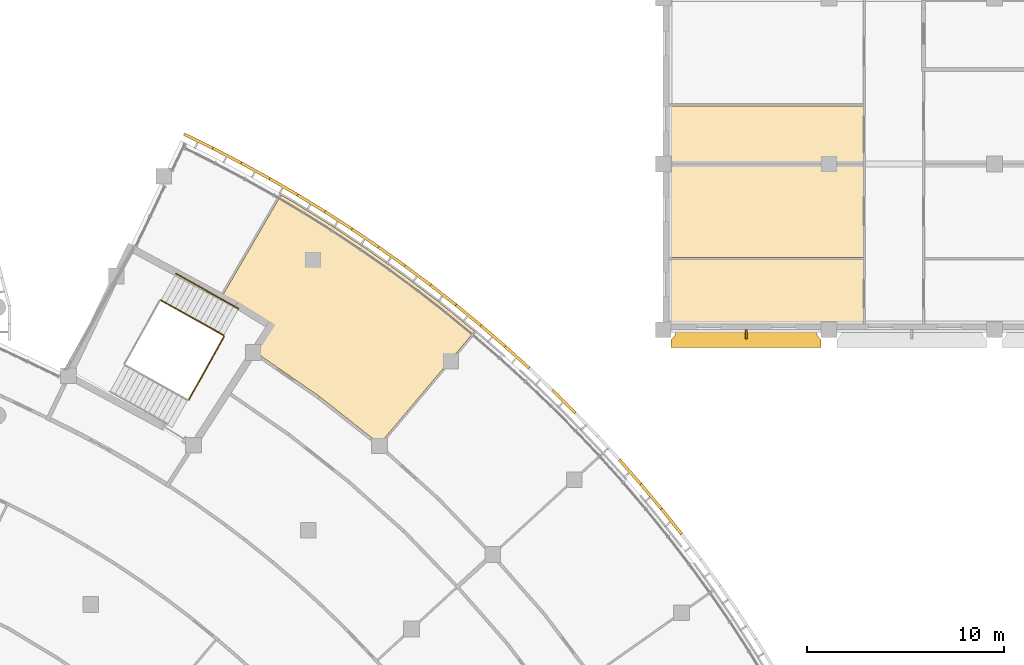
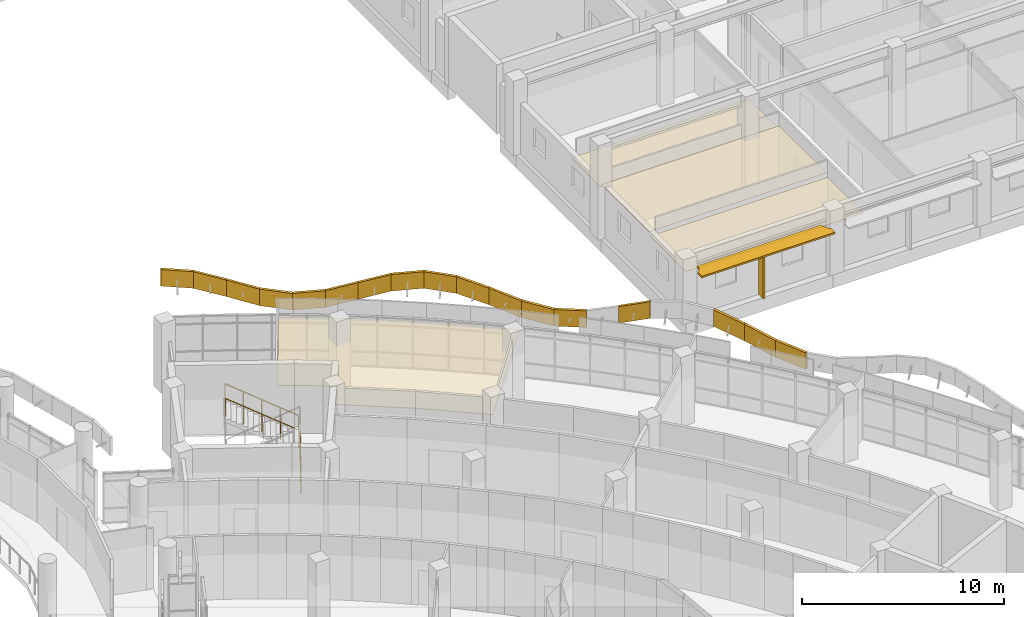
# One storey, part 97 of 109: 21 coverings, 3 railings, 2 shading devices.
"""IFC4 building model written with IfcOpenShell, lengths in metres."""

from ifc_helpers import new_model, si_unit, direction, frame, origin, origin_2d, place, context, subcontext, project, spatial, polyline, rectangle, circle, outline, extrude, material, layer, layer_set, material_profile, profile_set, type_object, element, save


model = new_model("IFC4")

# Units and contexts
model_context = context("Model", 3, precision=1e-05, world=origin(), true_north=direction((0.0, 1.0)))
body_context = subcontext(model_context, "Body", "Model", "MODEL_VIEW")
ifc_project = project(units=[si_unit("LENGTHUNIT", "METRE"), si_unit("AREAUNIT", "SQUARE_METRE"), si_unit("VOLUMEUNIT", "CUBIC_METRE"), si_unit("PLANEANGLEUNIT", "RADIAN"), si_unit("MASSUNIT", "GRAM", prefix="KILO")], contexts=[model_context])

# Site, building, storey
site_placement = place(None, origin())
site = spatial("IfcSite", under=ifc_project, at=site_placement, CompositionType="ELEMENT")
building_placement = place(site_placement, origin())
building = spatial("IfcBuilding", under=site, at=building_placement, Name="Bougainvillea Quay General Hospital", CompositionType="ELEMENT")
storey_placement = place(building_placement, frame((0.0, 0.0, 12.60009765625)))
storey = spatial("IfcBuildingStorey", under=building, at=storey_placement, Name="L02", CompositionType="ELEMENT", Elevation=12.60009765625)

# Coverings
ifc_material_1 = material(Name="Powder-coated aluminium fascia, blue", Category="aluminium")
ifc_layer_1 = layer(ifc_material_1, 0.14990234375)
ifc_layer_set_1 = layer_set([ifc_layer_1], Name="Powder-coated aluminium fascia, blue")
covering_type_1 = type_object("IfcCoveringType", Name="Aluminium wave fascia ribbon blue 150x1000", PredefinedType="CLADDING", material=ifc_layer_set_1)
covering_1_placement = place(storey_placement, frame((164.666259765625, 65.193359375, 2.914794921875), z_axis=(0.124953224171, -0.155483217394, 0.9799039039), x_axis=(-0.611031662527, 0.766062975329, 0.199468857769)))
element("IfcCovering", 1, at=covering_1_placement, inside=storey, type_object=covering_type_1, Name="Fascia ribbon blue a23 25", PredefinedType="CLADDING", context=body_context, shape_type="SweptSolid", body=[
    extrude(outline(polyline([(0.0, 0.0), (1.6645465021475467, -3.7947076036992655e-18), (1.666340177659672, -0.15007084574039015), (-0.0019393438335771078, -0.14996175662613193), (0.0, 0.0)])), origin(), (0.199468857769, 0.000716869866, 0.9799039039), 1.0),
])
covering_2_placement = place(storey_placement, frame((163.649169921875, 66.468505859375, 3.247314453125), z_axis=(0.218856184044, -0.261573360651, 0.940043269059), x_axis=(-0.603073091464, 0.721099298877, 0.34105519716)))
element("IfcCovering", 2, at=covering_2_placement, inside=storey, type_object=covering_type_1, Name="Fascia ribbon blue a23 26", PredefinedType="CLADDING", context=body_context, shape_type="SweptSolid", body=[
    extrude(outline(polyline([(0.0, 0.0), (1.735460729265174, 1.8697066464512524e-16), (1.737371801391283, -0.1501090783636885), (-0.0018501781897584263, -0.1500717173645204), (0.0, 0.0)])), origin(), (0.34105519716, 6.9185617e-05, 0.940043269059), 1.0),
])
covering_3_placement = place(storey_placement, frame((162.6025390625, 67.719970703125, 3.83984375), z_axis=(0.197799667141, -0.224704385256, 0.954140047858), x_axis=(-0.628881768899, 0.717559291411, 0.299359957337)))
element("IfcCovering", 3, at=covering_3_placement, inside=storey, type_object=covering_type_1, Name="Fascia ribbon blue a23 27", PredefinedType="CLADDING", context=body_context, shape_type="SweptSolid", body=[
    extrude(outline(polyline([(0.0, 0.0), (1.7096653369501256, -1.0538445116559103e-16), (1.7113182127405355, -0.15006647752666935), (-0.0018462278767976898, -0.1501098936998029), (0.0, 0.0)])), origin(), (0.299359957337, 0.000620497716, 0.954140047858), 1.0),
])
covering_4_placement = place(storey_placement, frame((159.29296875, 71.323974609375, 4.173583984375), z_axis=(-0.240434635595, 0.238780268836, 0.940837482895), x_axis=(-0.667872505304, 0.66266243874, -0.338858095583)))
element("IfcCovering", 4, at=covering_4_placement, inside=storey, type_object=covering_type_1, Name="Fascia ribbon blue a23 30", PredefinedType="CLADDING", context=body_context, shape_type="SweptSolid", body=[
    extrude(outline(polyline([(0.0, 0.0), (1.7337649676122868, -6.453713431719965e-17), (1.7355719201271784, -0.1500261600336642), (-0.0019377979767925546, -0.1500126075773375), (0.0, 0.0)])), origin(), (-0.338858095583, 0.000147774384, 0.940837482895), 1.0),
])
covering_5_placement = place(storey_placement, frame((156.950927734375, 73.5947265625, 3.063232421875), z_axis=(-0.070399358904, 0.064697906028, 0.995418560818), x_axis=(-0.738428011661, 0.66751988284, -0.095610028802)))
element("IfcCovering", 5, at=covering_5_placement, inside=storey, type_object=covering_type_1, Name="Fascia ribbon blue a23 32", PredefinedType="CLADDING", context=body_context, shape_type="SweptSolid", body=[
    extrude(outline(polyline([(0.0, 0.0), (1.638897921704335, -1.5612511283791264e-17), (1.6406757721124652, -0.15012523266757985), (-0.0016779818608670394, -0.14995138852440199), (0.0, 0.0)])), origin(), (-0.095610028802, 0.000781774299, 0.995418560818), 1.0),
])
covering_6_placement = place(storey_placement, frame((155.74072265625, 74.688720703125, 2.906494140625), z_axis=(0.136318959021, -0.117576932431, 0.983662953644), x_axis=(-0.7446970646, 0.642665613428, 0.18001997471)))
element("IfcCovering", 6, at=covering_6_placement, inside=storey, type_object=covering_type_1, Name="Fascia ribbon blue a23 33", PredefinedType="CLADDING", context=body_context, shape_type="SweptSolid", body=[
    extrude(outline(polyline([(0.0, 0.0), (1.6582220665102936, 7.822179861304013e-17), (1.6600123059400318, -0.1500349208008581), (-0.0017096868839489362, -0.15012601339015977), (0.0, 0.0)])), origin(), (0.18001997471, 4.8310975e-05, 0.983662953644), 1.0),
])
covering_7_placement = place(storey_placement, frame((154.505859375, 75.75439453125, 3.20556640625), z_axis=(0.260133098042, -0.21308976122, 0.941766173191), x_axis=(-0.727087859315, 0.598554392602, 0.336267577881)))
element("IfcCovering", 7, at=covering_7_placement, inside=storey, type_object=covering_type_1, Name="Fascia ribbon blue a23 34", PredefinedType="CLADDING", context=body_context, shape_type="SweptSolid", body=[
    extrude(outline(polyline([(0.0, 0.0), (1.7322854522484188, -1.5417354892743873e-16), (1.7341046083460026, -0.15002525383906457), (-0.0018591383055618878, -0.15003568901633538), (0.0, 0.0)])), origin(), (0.336267577881, 0.000768830167, 0.941766173191), 1.0),
])
covering_8_placement = place(storey_placement, frame((153.246337890625, 76.791259765625, 3.78857421875), z_axis=(0.243660116131, -0.191447234103, 0.950777421041), x_axis=(-0.747870403722, 0.587083963484, 0.309874618283)))
element("IfcCovering", 8, at=covering_8_placement, inside=storey, type_object=covering_type_1, Name="Fascia ribbon blue a23 35", PredefinedType="CLADDING", context=body_context, shape_type="SweptSolid", body=[
    extrude(outline(polyline([(0.0, 0.0), (1.7158257309375515, 2.4096393283490336e-17), (1.7174922613236396, -0.14990360867905692), (-0.0017911709376301386, -0.1500255825171471), (0.0, 0.0)])), origin(), (0.309874618283, -0.000128773539, 0.950777421041), 1.0),
])
covering_9_placement = place(storey_placement, frame((151.963134765625, 77.798583984375, 4.320556640625), z_axis=(0.0856729673, -0.064145782231, 0.994256235231), x_axis=(-0.796154379111, 0.595553245427, 0.107025868287)))
element("IfcCovering", 9, at=covering_9_placement, inside=storey, type_object=covering_type_1, Name="Fascia ribbon blue a23 36", PredefinedType="CLADDING", context=body_context, shape_type="SweptSolid", body=[
    extrude(outline(polyline([(0.0, 0.0), (1.6405978128938572, 6.231451986360437e-17), (1.6423523354753082, -0.14990467172577276), (-0.0018865496251368186, -0.1499000861091841), (0.0, 0.0)])), origin(), (0.107025868287, -4.7131704e-05, 0.994256235231), 1.0),
])
covering_10_placement = place(storey_placement, frame((150.656982421875, 78.775634765625, 4.49609375), z_axis=(-0.138423687542, 0.098696089217, 0.985443029658), x_axis=(-0.802525186998, 0.571883983735, -0.170005980425)))
element("IfcCovering", 10, at=covering_10_placement, inside=storey, type_object=covering_type_1, Name="Fascia ribbon blue a23 37", PredefinedType="CLADDING", context=body_context, shape_type="SweptSolid", body=[
    extrude(outline(polyline([(0.0, 0.0), (1.6555066030322882, 2.168404344971009e-17), (1.6571870715691348, -0.14993752086660528), (-0.0017577328421977574, -0.14990542546603436), (0.0, 0.0)])), origin(), (-0.170005980425, 4.380758e-05, 0.985443029658), 1.0),
])
covering_11_placement = place(storey_placement, frame((149.328369140625, 79.722412109375, 4.21435546875), z_axis=(-0.275769640528, 0.187284499965, 0.942802005426), x_axis=(-0.780309696984, 0.529143124196, -0.333353162439)))
element("IfcCovering", 11, at=covering_11_placement, inside=storey, type_object=covering_type_1, Name="Fascia ribbon blue a23 38", PredefinedType="CLADDING", context=body_context, shape_type="SweptSolid", body=[
    extrude(outline(polyline([(0.0, 0.0), (1.7302521637945663, -1.2175590397012215e-16), (1.731976528695846, -0.14990688564494048), (-0.0019207215262440026, -0.14993471423557142), (0.0, 0.0)])), origin(), (-0.333353162439, 0.00021830227, 0.942802005426), 1.0),
])
covering_12_placement = place(storey_placement, frame((147.978271484375, 80.637939453125, 3.636962890625), z_axis=(-0.264359964212, 0.170604395509, 0.949214385455), x_axis=(-0.797723951011, 0.514436057564, -0.314630005977)))
element("IfcCovering", 12, at=covering_12_placement, inside=storey, type_object=covering_type_1, Name="Fascia ribbon blue a23 39", PredefinedType="CLADDING", context=body_context, shape_type="SweptSolid", body=[
    extrude(outline(polyline([(0.0, 0.0), (1.7184810577651843, 1.6749568312185437e-16), (1.720258469377692, -0.1499587678949142), (-0.001871684065362145, -0.14990514478542705), (0.0, 0.0)])), origin(), (-0.314630005977, 9.8914678e-05, 0.949214385455), 1.0),
])
covering_13_placement = place(storey_placement, frame((146.607421875, 81.52197265625, 3.095703125), z_axis=(-0.100757704685, 0.061723708405, 0.992994495839), x_axis=(-0.846888806052, 0.518476055394, -0.118160611737)))
element("IfcCovering", 13, at=covering_13_placement, inside=storey, type_object=covering_type_1, Name="Fascia ribbon blue a23 40", PredefinedType="CLADDING", context=body_context, shape_type="SweptSolid", body=[
    extrude(outline(polyline([(0.0, 0.0), (1.642900378245541, 9.83066438583341e-18), (1.6446346419060776, -0.15009378037340704), (-0.001817200045336033, -0.1499577180500316), (0.0, 0.0)])), origin(), (-0.118160611737, 3.266044e-05, 0.992994495839), 1.0),
])
covering_14_placement = place(storey_placement, frame((145.216064453125, 82.373779296875, 2.901611328125), z_axis=(0.138115849317, -0.080166960516, 0.987166283161), x_axis=(-0.853586987081, 0.495869468161, 0.159695729535)))
element("IfcCovering", 14, at=covering_14_placement, inside=storey, type_object=covering_type_1, Name="Fascia ribbon blue a23 41", PredefinedType="CLADDING", context=body_context, shape_type="SweptSolid", body=[
    extrude(outline(polyline([(0.0, 0.0), (1.6523293562359767, 1.6566609195578508e-16), (1.6542010825780182, -0.1499769166896746), (-0.0017628216482539723, -0.15009344440396893), (0.0, 0.0)])), origin(), (0.159695729535, 5.7958455e-05, 0.987166283161), 1.0),
])
covering_15_placement = place(storey_placement, frame((143.8056640625, 83.193115234375, 3.166015625), z_axis=(0.289205935417, -0.159117020229, 0.943950052065), x_axis=(-0.826966815804, 0.455156664022, 0.330088316599)))
element("IfcCovering", 15, at=covering_15_placement, inside=storey, type_object=covering_type_1, Name="Fascia ribbon blue a23 42", PredefinedType="CLADDING", context=body_context, shape_type="SweptSolid", body=[
    extrude(outline(polyline([(0.0, 0.0), (1.728189653020375, -1.0690233420707074e-16), (1.7299986480404688, -0.14985038800188258), (-0.0017640205251640774, -0.1499797429278324), (0.0, 0.0)])), origin(), (0.330088316599, 4.951322e-05, 0.943950052065), 1.0),
])
covering_16_placement = place(storey_placement, frame((142.37646484375, 83.979736328125, 3.737060546875), z_axis=(0.283480757936, -0.14659255263, 0.947707382789), x_axis=(-0.840708365406, 0.437446356193, 0.319139671289)))
element("IfcCovering", 16, at=covering_16_placement, inside=storey, type_object=covering_type_1, Name="Fascia ribbon blue a23 43", PredefinedType="CLADDING", context=body_context, shape_type="SweptSolid", body=[
    extrude(outline(polyline([(0.0, 0.0), (1.7211980724264322, -6.028164079019405e-17), (1.7231316934409258, -0.1501159673207472), (-0.0019786050490470386, -0.14984832002512768), (0.0, 0.0)])), origin(), (0.319139671289, 0.000766039308, 0.947707382789), 1.0),
])
covering_17_placement = place(storey_placement, frame((140.929443359375, 84.732666015625, 4.286865234375), z_axis=(0.116308755255, -0.057041476462, 0.99157377104), x_axis=(-0.889903554204, 0.437367373435, 0.129543216223)))
element("IfcCovering", 17, at=covering_17_placement, inside=storey, type_object=covering_type_1, Name="Fascia ribbon blue a23 44", PredefinedType="CLADDING", context=body_context, shape_type="SweptSolid", body=[
    extrude(outline(polyline([(0.0, 0.0), (1.641677845449261, -1.0462550964485118e-17), (1.6416352574545119, -0.14991148115073216), (-0.0015913427038114368, -0.1501193894242282), (0.0, 0.0)])), origin(), (0.129543216223, 0.000108242152, 0.99157377104), 1.0),
])

# Railings
ifc_material_2 = material(Name="Stainless steel 304 balustrade", Category="steel")
railing_type_1 = type_object("IfcRailingType", Name="Stair guard 1100", PredefinedType="GUARDRAIL", material=ifc_material_2)
railing_1_placement = place(storey_placement, frame((141.514404296875, 75.31591796875, 0.14990234375)))
element("IfcRailing", 18, at=railing_1_placement, inside=storey, type_object=railing_type_1, Name="L02 ST-E1 stair guard 1", PredefinedType="GUARDRAIL", context=body_context, shape_type="SweptSolid", body=[
    extrude(circle(Radius=0.02392578125, at=origin_2d()), frame((0.0, 0.0, 1.076171875), z_axis=(-0.769802965158, 0.429422345311, 0.472228593143), x_axis=(-0.487162764816, -0.873311193434, 0.0)), (0.0, 0.0, 1.0), 4.129150390625),
    extrude(circle(Radius=0.02099609375, at=origin_2d()), origin(), (0.0, 0.0, 1.0), 1.052001953125),
    extrude(circle(Radius=0.02099609375, at=origin_2d()), frame((-0.794677734375, 0.443359375, 0.487548828125)), (0.0, 0.0, 1.0), 1.052001953125),
    extrude(circle(Radius=0.02099609375, at=origin_2d()), frame((-1.58935546875, 0.88671875, 0.97509765625)), (0.0, 0.0, 1.0), 1.052001953125),
    extrude(circle(Radius=0.02099609375, at=origin_2d()), frame((-2.384033203125, 1.329833984375, 1.46240234375)), (0.0, 0.0, 1.0), 1.052001953125),
    extrude(circle(Radius=0.02099609375, at=origin_2d()), frame((-3.1787109375, 1.773193359375, 1.949951171875)), (0.0, 0.0, 1.0), 1.052001953125),
])
railing_2_placement = place(storey_placement, frame((141.53369140625, 75.247802734375, 0.0)))
element("IfcRailing", 19, at=railing_2_placement, inside=storey, type_object=railing_type_1, Name="L02 ST-E1 stair guard 5", PredefinedType="GUARDRAIL", context=body_context, shape_type="SweptSolid", body=[
    extrude(circle(Radius=0.02392578125, at=origin_2d()), frame((0.0, 0.0, 1.076171875), z_axis=(-0.487183857125, -0.873299427091, 0.0), x_axis=(0.873299427091, -0.487183857125, 0.0)), (0.0, 0.0, 1.0), 3.6572265625),
    extrude(circle(Radius=0.02099609375, at=origin_2d()), origin(), (0.0, 0.0, 1.0), 1.052001953125),
    extrude(circle(Radius=0.02099609375, at=origin_2d()), frame((-0.4453125, -0.79833984375, 0.0)), (0.0, 0.0, 1.0), 1.052001953125),
    extrude(circle(Radius=0.02099609375, at=origin_2d()), frame((-0.890869140625, -1.596923828125, 0.0)), (0.0, 0.0, 1.0), 1.052001953125),
    extrude(circle(Radius=0.02099609375, at=origin_2d()), frame((-1.33642578125, -2.3955078125, 0.0)), (0.0, 0.0, 1.0), 1.052001953125),
    extrude(circle(Radius=0.02099609375, at=origin_2d()), frame((-1.78173828125, -3.19384765625, 0.0)), (0.0, 0.0, 1.0), 1.052001953125),
])
ifc_material_3 = material(Name="Stainless steel 304 handrail", Category="steel")
railing_type_2 = type_object("IfcRailingType", Name="Stair handrail 900", PredefinedType="HANDRAIL", material=ifc_material_3)
railing_3_placement = place(storey_placement, frame((142.26953125, 76.66943359375, 0.14990234375)))
element("IfcRailing", 20, at=railing_3_placement, inside=storey, type_object=railing_type_2, Name="L02 ST-E1 stair handrail 1", PredefinedType="HANDRAIL", context=body_context, shape_type="SweptSolid", body=[
    extrude(circle(Radius=0.02392578125, at=origin_2d()), frame((0.0, 0.0, 0.8759765625), z_axis=(-0.769783419686, 0.42947056533, 0.472216603151), x_axis=(-0.487213918252, -0.873282656338, 0.0)), (0.0, 0.0, 1.0), 4.12939453125),
    extrude(circle(Radius=0.02099609375, at=origin_2d()), origin(), (0.0, 0.0, 1.0), 0.851806640625),
    extrude(circle(Radius=0.02099609375, at=origin_2d()), frame((-0.794677734375, 0.443359375, 0.487548828125)), (0.0, 0.0, 1.0), 0.851806640625),
    extrude(circle(Radius=0.02099609375, at=origin_2d()), frame((-1.58935546875, 0.88671875, 0.97509765625)), (0.0, 0.0, 1.0), 0.851806640625),
    extrude(circle(Radius=0.02099609375, at=origin_2d()), frame((-2.384033203125, 1.330078125, 1.46240234375)), (0.0, 0.0, 1.0), 0.851806640625),
    extrude(circle(Radius=0.02099609375, at=origin_2d()), frame((-3.1787109375, 1.7734375, 1.949951171875)), (0.0, 0.0, 1.0), 0.851806640625),
])

# Shading device
ifc_material_4 = material(Name="Powder-coated aluminium canopy soffit and fascia, white", Category="aluminium")
ifc_layer_2 = layer(ifc_material_4, 0.10009765625)
ifc_layer_set_2 = layer_set([ifc_layer_2], Name="Powder-coated aluminium canopy soffit and fascia, white")
shading_device_type_1 = type_object("IfcShadingDeviceType", Name="Sunshade 100", PredefinedType="USERDEFINED", material=ifc_layer_set_2)
shading_device_1_placement = place(storey_placement, frame((0.0, 0.0, 2.849853515625)))
element("IfcShadingDevice", 21, at=shading_device_1_placement, inside=storey, type_object=shading_device_type_1, Name="Sunshade 0", ObjectType="Sunshade", PredefinedType="USERDEFINED", context=body_context, shape_type="SweptSolid", body=[
    extrude(outline(polyline([(171.550048828125, 75.60009765625), (164.449951171875, 75.60009765625), (164.4375, 75.47314453125), (164.400634765625, 75.351318359375), (164.373291015625, 75.293701171875), (164.302490234375, 75.187744140625), (164.199951171875, 75.08837890625), (164.199951171875, 74.699951171875), (171.800048828125, 74.699951171875), (171.800048828125, 75.08837890625), (171.697509765625, 75.187744140625), (171.626708984375, 75.293701171875), (171.599365234375, 75.351318359375), (171.5625, 75.47314453125), (171.550048828125, 75.60009765625)])), origin(), (0.0, 0.0, 1.0), 0.10009765625),
])

# Coverings
ifc_material_5 = material(Name="Mineral fibre ceiling tile")
ifc_layer_3 = layer(ifc_material_5, 0.030029296875)
ifc_layer_set_3 = layer_set([ifc_layer_3], Name="Mineral fibre ceiling tile")
covering_type_2 = type_object("IfcCoveringType", Name="Suspended ceiling mineral fibre tile", PredefinedType="CEILING", material=ifc_layer_set_3)
covering_18_placement = place(storey_placement, frame((0.0, 0.0, 2.7998046875)))
element("IfcCovering", 22, at=covering_18_placement, inside=storey, type_object=covering_type_2, Name="Ceiling Day Surgery Scrub-up Room", PredefinedType="CEILING", context=body_context, shape_type="SweptSolid", body=[
    extrude(outline(polyline([(163.800048828125, 84.050048828125), (173.949951171875, 84.050048828125), (173.949951171875, 86.949951171875), (163.800048828125, 86.949951171875), (163.800048828125, 84.050048828125)])), origin(), (0.0, 0.0, 1.0), 0.030029296875),
])
covering_19_placement = place(storey_placement, frame((0.0, 0.0, 3.0)))
element("IfcCovering", 23, at=covering_19_placement, inside=storey, type_object=covering_type_2, Name="Ceiling Day Surgery Operating Theatre 03", PredefinedType="CEILING", context=body_context, shape_type="SweptSolid", body=[
    extrude(outline(polyline([(163.800048828125, 79.25), (173.949951171875, 79.25), (173.949951171875, 83.949951171875), (163.800048828125, 83.949951171875), (163.800048828125, 79.25)])), origin(), (0.0, 0.0, 1.0), 0.02978515625),
])
covering_20_placement = place(storey_placement, frame((0.0, 0.0, 2.7998046875)))
element("IfcCovering", 24, at=covering_20_placement, inside=storey, type_object=covering_type_2, Name="Ceiling Day Surgery Procedure Room", PredefinedType="CEILING", context=body_context, shape_type="SweptSolid", body=[
    extrude(outline(polyline([(173.949951171875, 75.60009765625), (173.949951171875, 79.14990234375), (163.800048828125, 79.14990234375), (163.800048828125, 75.60009765625), (173.949951171875, 75.60009765625)])), origin(), (0.0, 0.0, 1.0), 0.030029296875),
])
covering_21_placement = place(storey_placement, frame((0.0, 0.0, 2.699951171875)))
element("IfcCovering", 25, at=covering_21_placement, inside=storey, type_object=covering_type_2, Name="Ceiling Infusion Chair Bay 02E111", PredefinedType="CEILING", context=body_context, shape_type="SweptSolid", body=[
    extrude(outline(polyline([(142.130859375, 76.936767578125), (142.21533203125, 76.88623046875), (142.214599609375, 76.884765625), (143.949951171875, 75.804931640625), (143.89697265625, 75.72021484375), (143.095947265625, 74.478515625), (146.273681640625, 72.28271484375), (146.276611328125, 72.286376953125), (146.33349609375, 72.241455078125), (146.393310546875, 72.199951171875), (146.390625, 72.1962890625), (149.404296875, 69.81640625), (149.4072265625, 69.81982421875), (149.424072265625, 69.804931640625), (154.236083984375, 75.514404296875), (152.365966796875, 77.038818359375), (150.614501953125, 78.36865234375), (148.82275390625, 79.642822265625), (146.991943359375, 80.85986328125), (145.124267578125, 82.01904296875), (144.422119140625, 82.4248046875), (141.455322265625, 77.326171875), (142.130126953125, 76.935546875), (142.130859375, 76.936767578125)])), origin(), (0.0, 0.0, 1.0), 0.030029296875),
])

# Shading device
ifc_material_6 = material(Name="Powder-coated aluminium fin, white", Category="aluminium")
ifc_material_profile = material_profile(ifc_material_6, rectangle(XDim=0.449951171875, YDim=0.10009765625, at=origin_2d()))
ifc_profile_set = profile_set([ifc_material_profile], Name="Powder-coated aluminium fin, white")
shading_device_type_2 = type_object("IfcShadingDeviceType", Name="Vertical fin 450x100", PredefinedType="USERDEFINED", material=ifc_profile_set)
shading_device_2_placement = place(storey_placement, frame((168.0, 75.375, 0.0), z_axis=(0.0, 0.0, 1.0), x_axis=(0.0, -1.0, 0.0)))
element("IfcShadingDevice", 26, at=shading_device_2_placement, inside=storey, type_object=shading_device_type_2, Name="Vertical fin 01a 1", ObjectType="Vertical fin", PredefinedType="USERDEFINED", context=body_context, shape_type="SweptSolid", body=[
    extrude(rectangle(XDim=0.449951171875, YDim=0.10009765625, at=origin_2d()), origin(), (0.0, 0.0, 1.0), 2.849853515625),
])

save(model, "model.ifc")
